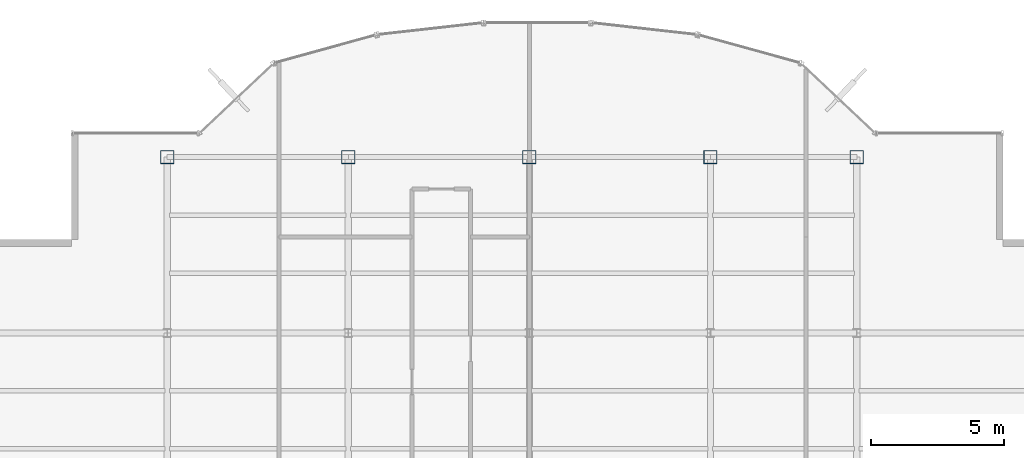
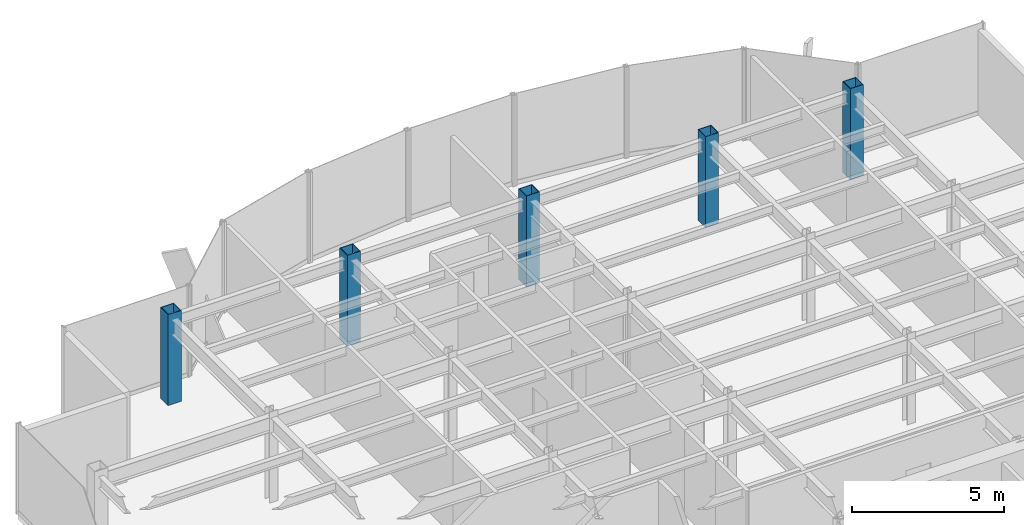
# One storey, part 2 of 22: 5 columns.
"""IFC4 building model written with IfcOpenShell, lengths in metres."""

from ifc_helpers import new_model, si_unit, derived_unit, direction, frame, origin, origin_2d, place, context, subcontext, project, spatial, hollow_rectangle, extrude, source, transform, mapped, material, material_profile, profile_set, type_object, element, save


model = new_model("IFC4")

# Units and contexts
model_context = context("Model", 3, precision=1e-05, world=origin(), true_north=direction((0.0, 1.0)))
body_context = subcontext(model_context, "Body", "Model", "MODEL_VIEW")
ifc_project = project(units=[si_unit("LENGTHUNIT", "METRE"), si_unit("AREAUNIT", "SQUARE_METRE"), si_unit("VOLUMEUNIT", "CUBIC_METRE"), si_unit("PLANEANGLEUNIT", "RADIAN"), si_unit("MASSUNIT", "GRAM", prefix="KILO"), derived_unit("THERMALTRANSMITTANCEUNIT", [(si_unit("POWERUNIT", "WATT"), 1), (si_unit("LENGTHUNIT", "METRE"), -2), (si_unit("THERMODYNAMICTEMPERATUREUNIT", "KELVIN"), -1)])], contexts=[model_context])

# Site, building, storey
site_placement = place(None, origin())
site = spatial("IfcSite", under=ifc_project, at=site_placement, CompositionType="ELEMENT")
building_placement = place(site_placement, origin())
building = spatial("IfcBuilding", under=site, at=building_placement, Name="Skarnbrae Concourse Arena and Tower", CompositionType="ELEMENT")
storey_placement = place(building_placement, frame((0.0, 0.0, 206.85009765625)))
storey = spatial("IfcBuildingStorey", under=building, at=storey_placement, Name="L53", CompositionType="ELEMENT", Elevation=206.85009765625)

# Columns
ifc_material = material(Name="Steel CSA G40.21 350W", Category="steel")
ifc_material_profile = material_profile(ifc_material, hollow_rectangle(XDim=0.5, YDim=0.5, WallThickness=0.02197265625, at=origin_2d()), Name="HSS500X500X22.0")
ifc_profile_set = profile_set([ifc_material_profile], Name="Steel CSA G40.21 350W")
column_type = type_object("IfcColumnType", Name="COL-TUBE-HSS500", PredefinedType="COLUMN", material=ifc_profile_set)
shared_shape = source(origin(), body_context, "Body", "SweptSolid", [
    extrude(hollow_rectangle(XDim=0.5, YDim=0.5, WallThickness=0.02197265625, at=origin_2d()), origin(), (0.0, 0.0, 1.0), 3.64990234375),
])
for number, where, z_axis, x_axis, name in (
    (1, (7.60009765625, 34.39990234375, 0.0), (0.0, 0.0, 1.0), (1.0, 0.0, 0.0), "L53 Tower column PC_02_05"),
    (2, (14.39990234375, 34.39990234375, 0.0), (0.0, 0.0, 1.0), (1.0, 0.0, 0.0), "L53 Tower column PC_03_05"),
    (3, (21.199951171875, 34.39990234375, 0.0), (0.0, 0.0, 1.0), (1.0, 0.0, 0.0), "L53 Tower column PC_04_05"),
    (4, (28.0, 34.39990234375, 0.0), (0.0, 0.0, 1.0), (1.0, 0.0, 0.0), "L53 Tower column PC_05_05"),
    (5, (33.5, 34.39990234375, 0.0), (0.0, 0.0, 1.0), (1.0, 0.0, 0.0), "L53 Tower column PC_06_05"),
):
    element("IfcColumn", number, at=place(storey_placement, frame(where, z_axis=z_axis, x_axis=x_axis)), inside=storey, type_object=column_type, Name=name, PredefinedType="COLUMN", context=body_context, shape_type="MappedRepresentation", body=[
        mapped(shared_shape, transform((0.0, 0.0, 0.0))),
    ])

save(model, "model.ifc")
